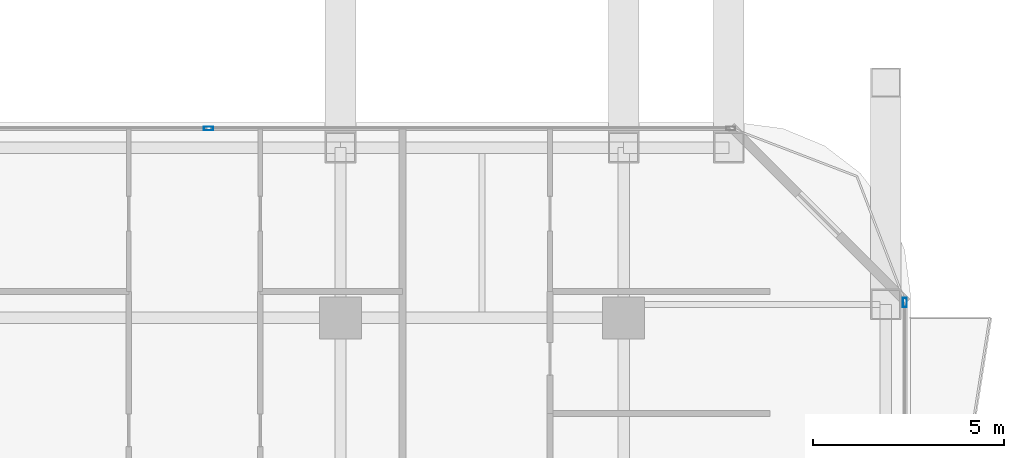
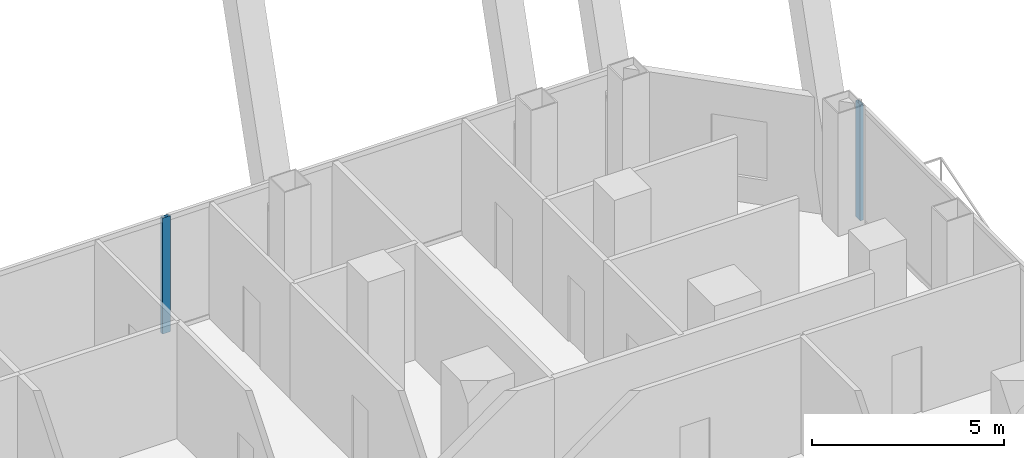
# One storey, part 19 of 33: 2 members, 2 elements without a shape of their own.
"""IFC4 building model written with IfcOpenShell, lengths in metres."""

from ifc_helpers import new_model, si_unit, direction, frame, origin, origin_2d, place, context, subcontext, project, spatial, hollow_rectangle, extrude, material, layer, layer_set, material_profile, profile_set, type_object, element, aggregate, save


model = new_model("IFC4")

# Units and contexts
model_context = context("Model", 3, precision=1e-05, world=origin(), true_north=direction((0.0, 1.0)))
body_context = subcontext(model_context, "Body", "Model", "MODEL_VIEW")
ifc_project = project(units=[si_unit("LENGTHUNIT", "METRE"), si_unit("AREAUNIT", "SQUARE_METRE"), si_unit("VOLUMEUNIT", "CUBIC_METRE"), si_unit("PLANEANGLEUNIT", "RADIAN"), si_unit("MASSUNIT", "GRAM", prefix="KILO")], contexts=[model_context])

# Site, building, storey
site_placement = place(None, origin())
site = spatial("IfcSite", under=ifc_project, at=site_placement, CompositionType="ELEMENT")
building_placement = place(site_placement, origin())
building = spatial("IfcBuilding", under=site, at=building_placement, Name="Khorvyn Point Tower", CompositionType="ELEMENT")
storey_placement = place(building_placement, frame((0.0, 0.0, 65.699951171875)))
storey = spatial("IfcBuildingStorey", under=building, at=storey_placement, Name="L17", CompositionType="ELEMENT", Elevation=65.699951171875)

# Curtain wall, member
ifc_material_1 = material(Name="Anodised aluminium 6063-T6 and laminated Low-E glass", Category="aluminium")
ifc_layer = layer(ifc_material_1, 0.18994140625)
ifc_layer_set = layer_set([ifc_layer], Name="Stick-Built Finned Residential Curtain Wall CW-SYS-02")
curtain_wall_type = type_object("IfcCurtainWallType", Name="Stick-Built Finned Residential Curtain Wall CW-SYS-02", PredefinedType="NOTDEFINED", material=ifc_layer_set)
curtain_wall_1_placement = place(storey_placement, origin())
curtain_wall_1 = element("IfcCurtainWall", 1, at=curtain_wall_1_placement, inside=storey, type_object=curtain_wall_type, Name="Curtain Wall", PredefinedType="NOTDEFINED")
ifc_material_2 = material(Name="Anodised aluminium 6063-T6", Category="aluminium")
ifc_material_profile = material_profile(ifc_material_2, hollow_rectangle(XDim=0.10009765625, YDim=0.239990234375, WallThickness=0.0048828125, at=origin_2d()))
ifc_profile_set = profile_set([ifc_material_profile], Name="Anodised aluminium 6063-T6 ALU-MUL-100x240")
member_type = type_object("IfcMemberType", Name="Anodised Aluminium 6063-T6 Mullion ALU-MUL-100x240", PredefinedType="MULLION", material=ifc_profile_set)
member_1_placement = place(storey_placement, frame((3.949951171875, 25.050048828125, 0.0), z_axis=(0.0, 0.0, 1.0), x_axis=(0.0, 1.0, 0.0)))
member_1 = element("IfcMember", 2, at=member_1_placement, type_object=member_type, Name="Transom", PredefinedType="MULLION", context=body_context, shape_type="SweptSolid", body=[
    extrude(hollow_rectangle(XDim=0.10009765625, YDim=0.239990234375, WallThickness=0.0048828125, at=origin_2d()), origin(), (0.0, 0.0, 1.0), 3.679931640625),
])
aggregate(curtain_wall_1, [member_1])

curtain_wall_2_placement = place(storey_placement, origin())
curtain_wall_2 = element("IfcCurtainWall", 3, at=curtain_wall_2_placement, inside=storey, type_object=curtain_wall_type, Name="Curtain Wall", PredefinedType="NOTDEFINED")
member_2_placement = place(storey_placement, frame((22.14990234375, 20.5, 0.0), z_axis=(0.0, 0.0, 1.0), x_axis=(1.0, 0.0, 0.0)))
member_2 = element("IfcMember", 4, at=member_2_placement, type_object=member_type, Name="Transom", PredefinedType="MULLION", context=body_context, shape_type="SweptSolid", body=[
    extrude(hollow_rectangle(XDim=0.10009765625, YDim=0.239990234375, WallThickness=0.0048828125, at=origin_2d()), origin(), (0.0, 0.0, 1.0), 3.679931640625),
])
aggregate(curtain_wall_2, [member_2])

save(model, "model.ifc")
